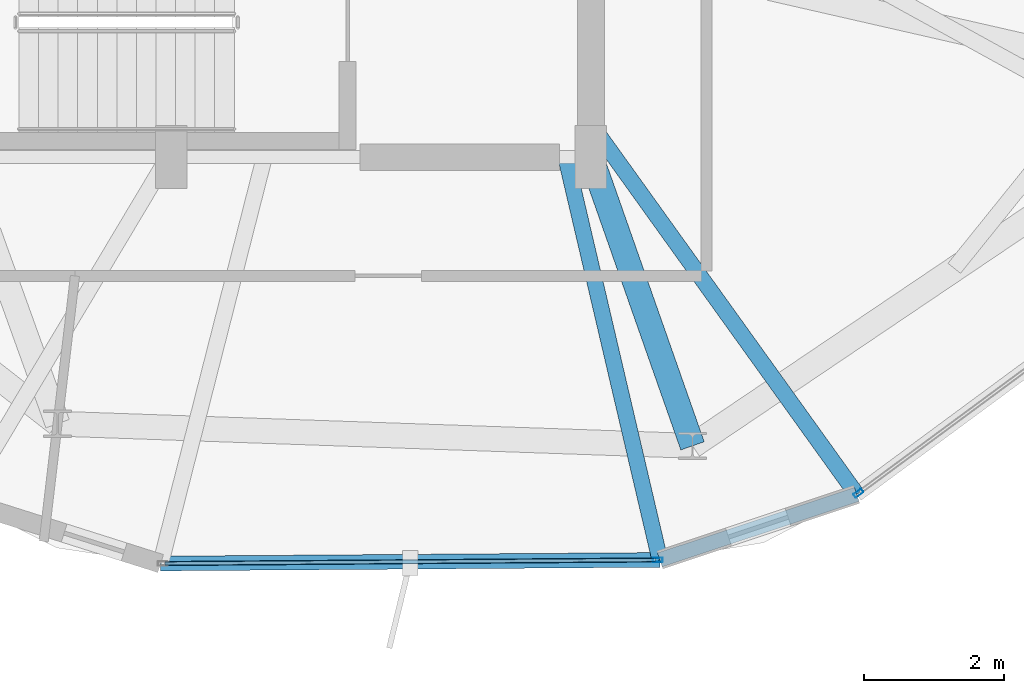
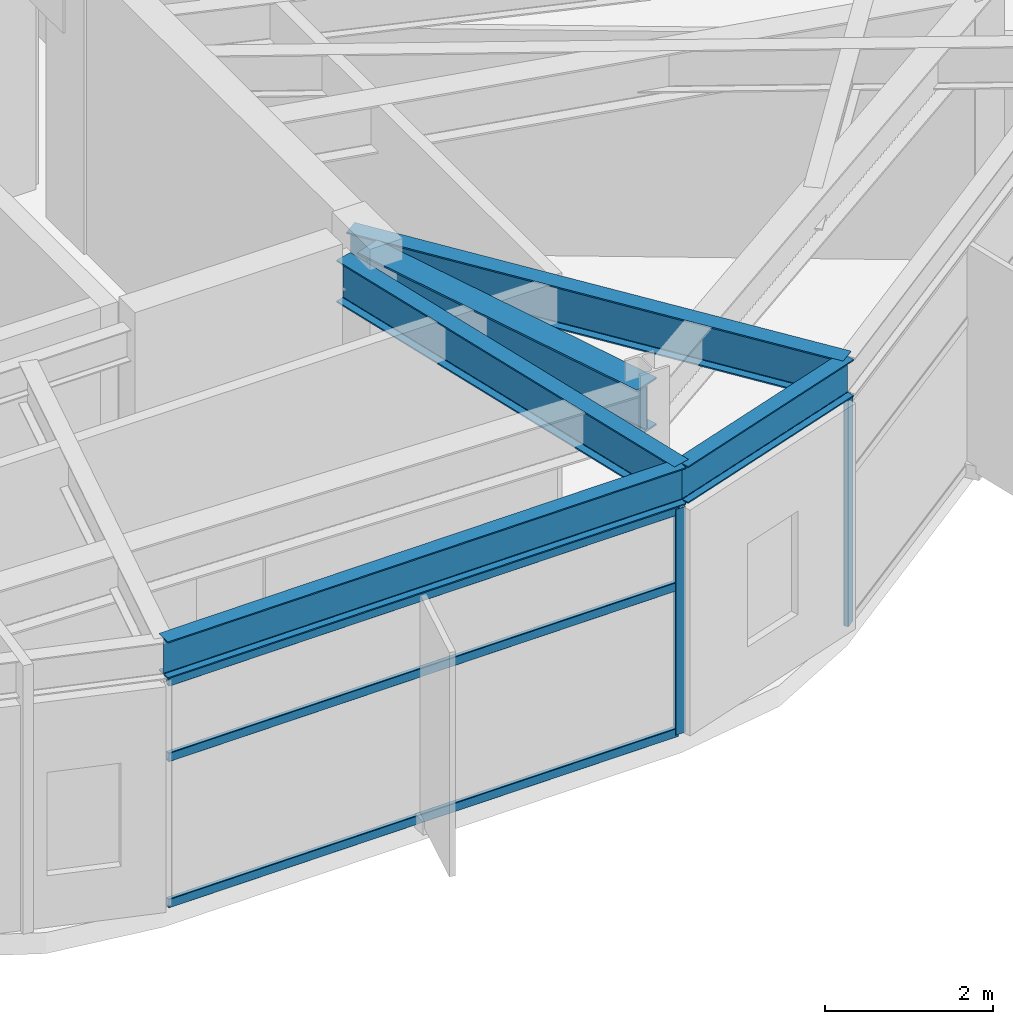
# One storey, part 5 of 22: 5 beams, 5 members, 2 elements without a shape of their own.
"""IFC4 building model written with IfcOpenShell, lengths in metres."""

from ifc_helpers import new_model, si_unit, direction, frame, origin, origin_2d, place, context, subcontext, project, spatial, hollow_rectangle, i_section, extrude, material, layer, layer_set, material_profile, profile_set, type_object, element, aggregate, save


model = new_model("IFC4")

# Units and contexts
model_context = context("Model", 3, precision=1e-05, world=origin(), true_north=direction((0.0, 1.0)))
body_context = subcontext(model_context, "Body", "Model", "MODEL_VIEW")
ifc_project = project(units=[si_unit("LENGTHUNIT", "METRE"), si_unit("AREAUNIT", "SQUARE_METRE"), si_unit("VOLUMEUNIT", "CUBIC_METRE"), si_unit("PLANEANGLEUNIT", "RADIAN"), si_unit("MASSUNIT", "GRAM", prefix="KILO")], contexts=[model_context])

# Site, building, storey
site_placement = place(None, origin())
site = spatial("IfcSite", under=ifc_project, at=site_placement, CompositionType="ELEMENT")
building_placement = place(site_placement, origin())
building = spatial("IfcBuilding", under=site, at=building_placement, Name="Soratama Intermodal Tower", CompositionType="ELEMENT")
storey_placement = place(building_placement, frame((0.0, 0.0, 301.449951171875)))
storey = spatial("IfcBuildingStorey", under=building, at=storey_placement, Name="L76", CompositionType="ELEMENT", Elevation=301.449951171875)

# Beams
ifc_material_1 = material(Name="Structural steel ASTM A992 Grade 50", Category="steel")
ifc_material_profile_1 = material_profile(ifc_material_1, i_section(OverallWidth=0.35498046875, OverallDepth=0.695068359375, WebThickness=0.015380859375, FlangeThickness=0.02490234375, FilletRadius=0.01611328125, at=origin_2d()), Name="W27X146")
ifc_profile_set_1 = profile_set([ifc_material_profile_1], Name="Structural steel ASTM A992 Grade 50")
beam_type_1 = type_object("IfcBeamType", Name="BM-RING-W27X146", PredefinedType="BEAM", material=ifc_profile_set_1)
beam_1_placement = place(storey_placement, frame((44.60009765625, 15.0, 3.547607421875), z_axis=(0.331661746867, -0.943398370608, 0.0), x_axis=(0.943398370608, 0.331661746867, 0.0)))
element("IfcBeam", 1, at=beam_1_placement, inside=storey, type_object=beam_type_1, Name="BM-L76-RAD-08", PredefinedType="BEAM", context=body_context, shape_type="SweptSolid", body=[
    extrude(i_section(OverallWidth=0.35498046875, OverallDepth=0.695068359375, WebThickness=0.015380859375, FlangeThickness=0.02490234375, FilletRadius=0.01611328125, at=origin_2d()), origin(), (0.0, 0.0, 1.0), 4.377685546875),
])
ifc_material_2 = material(Name="Structural steel ASTM A992 Grade 50", Category="steel")
ifc_material_profile_2 = material_profile(ifc_material_2, i_section(OverallWidth=0.2099609375, OverallDepth=0.537109375, WebThickness=0.010986328125, FlangeThickness=0.017333984375, FilletRadius=0.012939453125, at=origin_2d()), Name="W21X68")
ifc_profile_set_2 = profile_set([ifc_material_profile_2], Name="Structural steel ASTM A992 Grade 50")
beam_type_2 = type_object("IfcBeamType", Name="BM-SPN-W21X68", PredefinedType="SPANDREL", material=ifc_profile_set_2)
beam_2_placement = place(storey_placement, frame((38.446044921875, 9.18701171875, 3.62646484375), z_axis=(0.999973477853, 0.007283103121, 0.0), x_axis=(-0.007283103121, 0.999973477853, 0.0)))
element("IfcBeam", 2, at=beam_2_placement, inside=storey, type_object=beam_type_2, Name="BS-L76-F06", PredefinedType="SPANDREL", context=body_context, shape_type="SweptSolid", body=[
    extrude(i_section(OverallWidth=0.2099609375, OverallDepth=0.537109375, WebThickness=0.010986328125, FlangeThickness=0.017333984375, FilletRadius=0.012939453125, at=origin_2d()), origin(), (0.0, 0.0, 1.0), 7.14013671875),
])
beam_3_placement = place(storey_placement, frame((45.5859375, 9.239013671875, 3.62646484375), z_axis=(0.94878203178, 0.315931410548, 0.0), x_axis=(-0.315931410548, 0.94878203178, 0.0)))
element("IfcBeam", 3, at=beam_3_placement, inside=storey, type_object=beam_type_2, Name="BS-L76-CRN06", PredefinedType="SPANDREL", context=body_context, shape_type="SweptSolid", body=[
    extrude(i_section(OverallWidth=0.2099609375, OverallDepth=0.537109375, WebThickness=0.010986328125, FlangeThickness=0.017333984375, FilletRadius=0.012939453125, at=origin_2d()), origin(), (0.0, 0.0, 1.0), 2.9658203125),
])
ifc_material_3 = material(Name="Structural steel ASTM A992 Grade 50", Category="steel")
ifc_material_profile_3 = material_profile(ifc_material_3, i_section(OverallWidth=0.22900390625, OverallDepth=0.612060546875, WebThickness=0.011962890625, FlangeThickness=0.01953125, FilletRadius=0.012939453125, at=origin_2d()), Name="W24X84")
ifc_profile_set_3 = profile_set([ifc_material_profile_3], Name="Structural steel ASTM A992 Grade 50")
beam_type_3 = type_object("IfcBeamType", Name="BM-TIE-W24X84", PredefinedType="BEAM", material=ifc_profile_set_3)
beam_4_placement = place(storey_placement, frame((44.248046875, 14.9609375, 3.589111328125), z_axis=(0.227677458405, -0.973736604495, 0.0), x_axis=(0.973736604495, 0.227677458405, 0.0)))
element("IfcBeam", 4, at=beam_4_placement, inside=storey, type_object=beam_type_3, Name="BM-L76-TIE1-06", PredefinedType="BEAM", context=body_context, shape_type="SweptSolid", body=[
    extrude(i_section(OverallWidth=0.22900390625, OverallDepth=0.612060546875, WebThickness=0.011962890625, FlangeThickness=0.01953125, FilletRadius=0.012939453125, at=origin_2d()), origin(), (0.0, 0.0, 1.0), 5.876220703125),
])
beam_5_placement = place(storey_placement, frame((44.623046875, 15.43701171875, 3.589111328125), z_axis=(0.58317999385, -0.812342966224, 0.0), x_axis=(0.812342966224, 0.58317999385, 0.0)))
element("IfcBeam", 5, at=beam_5_placement, inside=storey, type_object=beam_type_3, Name="BM-L76-TIE0-07", PredefinedType="BEAM", context=body_context, shape_type="SweptSolid", body=[
    extrude(i_section(OverallWidth=0.22900390625, OverallDepth=0.612060546875, WebThickness=0.011962890625, FlangeThickness=0.01953125, FilletRadius=0.012939453125, at=origin_2d()), origin(), (0.0, 0.0, 1.0), 6.476318359375),
])

# Curtain wall, member
ifc_material_4 = material(Name="Double-glazed aluminium curtain wall", Category="aluminium")
ifc_layer = layer(ifc_material_4, 0.159912109375)
ifc_layer_set = layer_set([ifc_layer], Name="Double-glazed aluminium curtain wall")
curtain_wall_type = type_object("IfcCurtainWallType", Name="CW-SYS-6", PredefinedType="NOTDEFINED", material=ifc_layer_set)
curtain_wall_1_placement = place(storey_placement, origin())
curtain_wall_1 = element("IfcCurtainWall", 6, at=curtain_wall_1_placement, inside=storey, type_object=curtain_wall_type, Name="L76 Faceted Curtain Wall F06", PredefinedType="NOTDEFINED")
ifc_material_5 = material(Name="Anodised aluminium AA 6063-T6", Category="aluminium")
ifc_material_profile_4 = material_profile(ifc_material_5, hollow_rectangle(XDim=0.06494140625, YDim=0.139892578125, WallThickness=0.0048828125, InnerFilletRadius=0.0048828125, OuterFilletRadius=0.010009765625, at=origin_2d()), Name="CWM140X65X5")
ifc_profile_set_4 = profile_set([ifc_material_profile_4], Name="Anodised aluminium AA 6063-T6")
member_type_1 = type_object("IfcMemberType", Name="MT-CWM-6", PredefinedType="MULLION", material=ifc_profile_set_4)
member_1_placement = place(storey_placement, frame((45.5556640625, 9.23876953125, 0.0), z_axis=(0.0, 0.0, 1.0), x_axis=(-0.007338840732, 0.999973070346, 0.0)))
member_1 = element("IfcMember", 7, at=member_1_placement, type_object=member_type_1, Name="CW-6 mullion 2", PredefinedType="MULLION", context=body_context, shape_type="SweptSolid", body=[
    extrude(hollow_rectangle(XDim=0.06494140625, YDim=0.139892578125, WallThickness=0.0048828125, InnerFilletRadius=0.0048828125, OuterFilletRadius=0.010009765625, at=origin_2d()), origin(), (0.0, 0.0, 1.0), 3.274169921875),
])

curtain_wall_2_placement = place(storey_placement, origin())
curtain_wall_2 = element("IfcCurtainWall", 8, at=curtain_wall_2_placement, inside=storey, type_object=curtain_wall_type, Name="L76 Faceted Curtain Wall F07", PredefinedType="NOTDEFINED")
member_2_placement = place(storey_placement, frame((48.424560546875, 10.194091796875, 0.0), z_axis=(0.0, 0.0, 1.0), x_axis=(-0.593704851931, 0.804682887101, 0.0)))
member_2 = element("IfcMember", 9, at=member_2_placement, type_object=member_type_1, Name="CW-6 mullion 1", PredefinedType="MULLION", context=body_context, shape_type="SweptSolid", body=[
    extrude(hollow_rectangle(XDim=0.06494140625, YDim=0.139892578125, WallThickness=0.0048828125, InnerFilletRadius=0.0048828125, OuterFilletRadius=0.010009765625, at=origin_2d()), origin(), (0.0, 0.0, 1.0), 3.274169921875),
])
aggregate(curtain_wall_2, [member_2])

# Member
ifc_material_6 = material(Name="Anodised aluminium AA 6063-T6", Category="aluminium")
ifc_material_profile_5 = material_profile(ifc_material_6, hollow_rectangle(XDim=0.06005859375, YDim=0.1298828125, WallThickness=0.0048828125, InnerFilletRadius=0.0048828125, OuterFilletRadius=0.010009765625, at=origin_2d()), Name="CWT130X60X5")
ifc_profile_set_5 = profile_set([ifc_material_profile_5], Name="Anodised aluminium AA 6063-T6")
member_type_2 = type_object("IfcMemberType", Name="TT-CWT-2", PredefinedType="USERDEFINED", material=ifc_profile_set_5)
member_3_placement = place(storey_placement, frame((38.505859375, 9.187255859375, 0.030029296875), z_axis=(0.999973075289, 0.007338167109, 0.0), x_axis=(-0.007338167109, 0.999973075289, 0.0)))
member_3 = element("IfcMember", 10, at=member_3_placement, type_object=member_type_2, Name="CW-6 transom 1.1", ObjectType="TRANSOM", PredefinedType="USERDEFINED", context=body_context, shape_type="SweptSolid", body=[
    extrude(hollow_rectangle(XDim=0.06005859375, YDim=0.1298828125, WallThickness=0.0048828125, InnerFilletRadius=0.0048828125, OuterFilletRadius=0.010009765625, at=origin_2d()), origin(), (0.0, 0.0, 1.0), 7.02001953125),
])

member_4_placement = place(storey_placement, frame((38.505859375, 9.187255859375, 2.150146484375), z_axis=(0.999973075289, 0.007338167109, 0.0), x_axis=(-0.007338167109, 0.999973075289, 0.0)))
member_4 = element("IfcMember", 11, at=member_4_placement, type_object=member_type_2, Name="CW-6 transom 1.2", ObjectType="TRANSOM", PredefinedType="USERDEFINED", context=body_context, shape_type="SweptSolid", body=[
    extrude(hollow_rectangle(XDim=0.06005859375, YDim=0.1298828125, WallThickness=0.0048828125, InnerFilletRadius=0.0048828125, OuterFilletRadius=0.010009765625, at=origin_2d()), origin(), (0.0, 0.0, 1.0), 7.02001953125),
])

member_5_placement = place(storey_placement, frame((38.505859375, 9.187255859375, 3.244140625), z_axis=(0.999973075289, 0.007338167109, 0.0), x_axis=(-0.007338167109, 0.999973075289, 0.0)))
member_5 = element("IfcMember", 12, at=member_5_placement, type_object=member_type_2, Name="CW-6 transom 1.3", ObjectType="TRANSOM", PredefinedType="USERDEFINED", context=body_context, shape_type="SweptSolid", body=[
    extrude(hollow_rectangle(XDim=0.06005859375, YDim=0.1298828125, WallThickness=0.0048828125, InnerFilletRadius=0.0048828125, OuterFilletRadius=0.010009765625, at=origin_2d()), origin(), (0.0, 0.0, 1.0), 7.02001953125),
])

aggregate(curtain_wall_1, [member_1, member_3, member_4, member_5])

save(model, "model.ifc")
